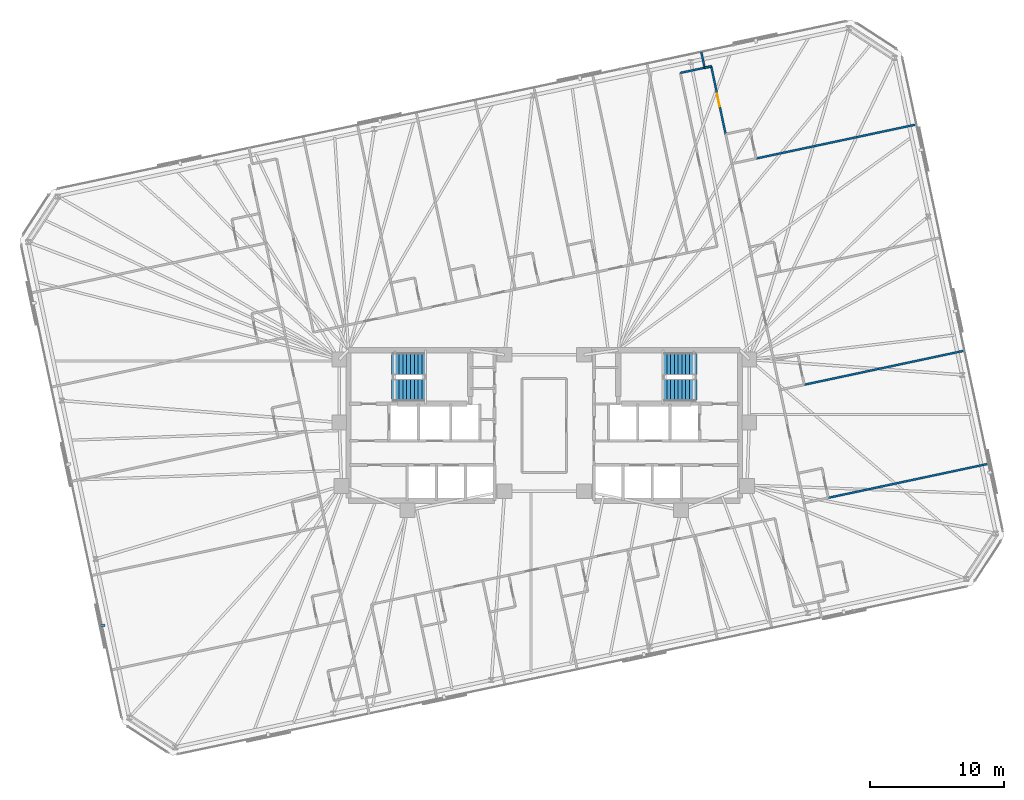
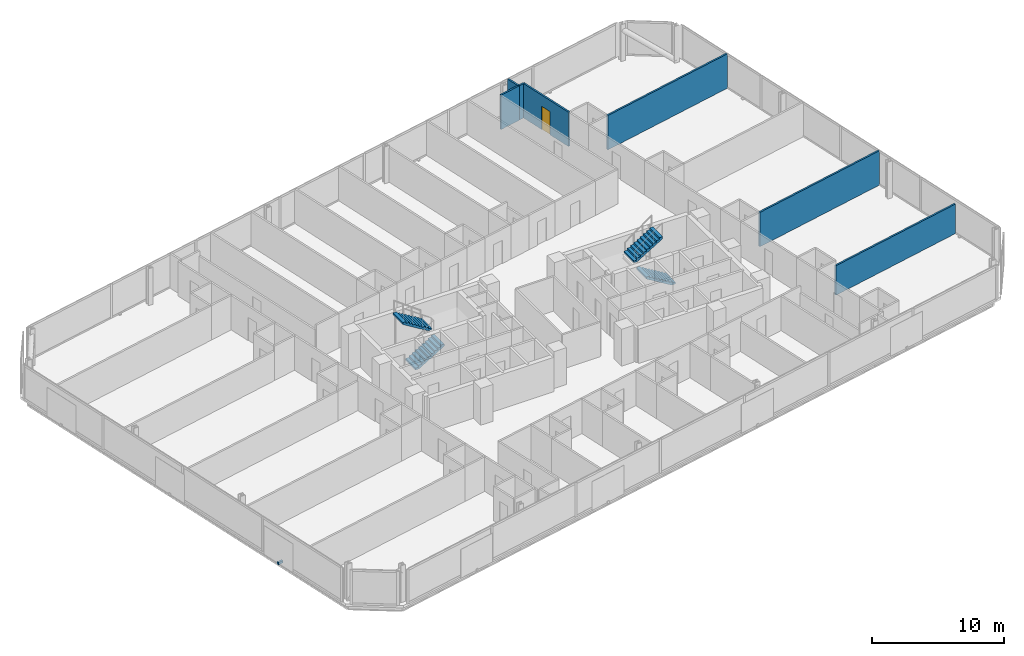
# One storey, part 19 of 21: 7 walls, 4 stair flights, 1 discrete accessory, 1 door, 1 opening, 2 elements without a shape of their own.
"""IFC4 building model written with IfcOpenShell, lengths in metres."""

from ifc_helpers import new_model, si_unit, direction, frame, frame_2d, origin, origin_2d, place, context, subcontext, project, spatial, polyline, rectangle, outline, extrude, material, layer, layer_set, type_object, element, fill, aggregate, save


model = new_model("IFC4")

# Units and contexts
model_context = context("Model", 3, precision=1e-05, world=origin(), true_north=direction((0.0, 1.0)))
body_context = subcontext(model_context, "Body", "Model", "MODEL_VIEW")
ifc_project = project(units=[si_unit("LENGTHUNIT", "METRE"), si_unit("AREAUNIT", "SQUARE_METRE"), si_unit("VOLUMEUNIT", "CUBIC_METRE"), si_unit("PLANEANGLEUNIT", "RADIAN"), si_unit("MASSUNIT", "GRAM", prefix="KILO")], contexts=[model_context])

# Site, building, storey
site_placement = place(None, origin())
site = spatial("IfcSite", under=ifc_project, at=site_placement, CompositionType="ELEMENT")
building_placement = place(site_placement, origin())
building = spatial("IfcBuilding", under=site, at=building_placement, Name="Menara Jurai Vektor", CompositionType="ELEMENT")
storey_placement = place(building_placement, frame((0.0, 0.0, 165.0)))
storey = spatial("IfcBuildingStorey", under=building, at=storey_placement, Name="L42", CompositionType="ELEMENT", Elevation=165.0)

# Walls
ifc_material_1 = material(Name="Gypsum Fireboard Partition", Category="gypsum")
ifc_layer_1 = layer(ifc_material_1, 0.14990234375)
ifc_layer_set_1 = layer_set([ifc_layer_1], Name="Gypsum Fireboard Partition")
wall_type_1 = type_object("IfcWallType", Name="INT-WALL-CORR-150", PredefinedType="PARTITIONING", material=ifc_layer_set_1)
wall_1_placement = place(storey_placement, frame((10.118408203125, 26.21435546875, 0.0), z_axis=(0.0, 0.0, 1.0), x_axis=(0.978133353907, 0.20797870558, 0.0)))
element("IfcWall", 1, at=wall_1_placement, inside=storey, type_object=wall_type_1, Name="Interior Wall IW-150 L42", PredefinedType="PARTITIONING", context=body_context, shape_type="SweptSolid", body=[
    extrude(rectangle(XDim=1.85009765625, YDim=0.14990234375, at=frame_2d((0.925048828125, 0.0))), origin(), (0.0, 0.0, 1.0), 3.175048828125),
])
wall_2_placement = place(storey_placement, frame((11.927978515625, 26.59912109375, 0.0), z_axis=(0.0, 0.0, 1.0), x_axis=(0.97822210712, 0.207560856478, 0.0)))
element("IfcWall", 2, at=wall_2_placement, inside=storey, type_object=wall_type_1, Name="Interior Wall IW-150 L42", PredefinedType="PARTITIONING", context=body_context, shape_type="SweptSolid", body=[
    extrude(rectangle(XDim=0.5, YDim=0.14990234375, at=frame_2d((0.25, 0.0))), origin(), (0.0, 0.0, 1.0), 3.175048828125),
])

# Wall, opening, door
wall_3_placement = place(storey_placement, frame((13.48779296875, 21.66552734375, 0.0), z_axis=(0.0, 0.0, 1.0), x_axis=(-0.207926226209, 0.978144511028, 0.0)))
wall_3 = element("IfcWall", 3, at=wall_3_placement, inside=storey, type_object=wall_type_1, Name="Interior Wall IW-150 L42", PredefinedType="PARTITIONING", context=body_context, shape_type="SweptSolid", body=[
    extrude(rectangle(XDim=5.14990234375, YDim=0.14990234375, at=frame_2d((2.574951171875, 0.0))), origin(), (0.0, 0.0, 1.0), 3.175048828125),
])
opening_placement = place(wall_3_placement, frame((2.10009765625, 0.0, 0.0)))
opening = element("IfcOpeningElement", 4, at=opening_placement, cuts=wall_3, Name="Opening D42-52", PredefinedType="OPENING", context=body_context, shape_type="SweptSolid", body=[
    extrude(rectangle(XDim=0.949951171875, YDim=2.14990234375, at=frame_2d((0.47509765625, 1.074951171875))), frame((0.0, 0.0849609375, 0.0), z_axis=(0.0, -1.0, 0.0), x_axis=(1.0, 0.0, 0.0)), (0.0, 0.0, 1.0), 0.169921875),
])
ifc_material_2 = material(Name="Solid Core Timber Fire Door", Category="wood")
door_type = type_object("IfcDoorType", Name="DR-ENTRY-950", OperationType="NOTDEFINED", PredefinedType="DOOR", material=ifc_material_2)
door_placement = place(opening_placement, origin())
door = element("IfcDoor", 5, at=door_placement, inside=storey, type_object=door_type, Name="Interior Door D42-52", OperationType="SINGLE_SWING_LEFT", OverallHeight=2.14990234375, OverallWidth=0.949951171875, PredefinedType="DOOR", context=body_context, shape_type="SweptSolid", body=[
    extrude(rectangle(XDim=0.949951171875, YDim=2.14990234375, at=frame_2d((0.47509765625, 1.074951171875))), frame((0.0, 0.02490234375, 0.0), z_axis=(0.0, -1.0, 0.0), x_axis=(1.0, 0.0, 0.0)), (0.0, 0.0, 1.0), 0.050048828125),
])
fill(opening, door)

# Walls
wall_4_placement = place(storey_placement, frame((11.927978515625, 26.59912109375, 0.0), z_axis=(0.0, 0.0, 1.0), x_axis=(-0.20795853359, 0.978137642823, 0.0)))
element("IfcWall", 6, at=wall_4_placement, inside=storey, type_object=wall_type_1, Name="Interior Wall IW-150 L42", PredefinedType="PARTITIONING", context=body_context, shape_type="SweptSolid", body=[
    extrude(rectangle(XDim=1.19970703125, YDim=0.14990234375, at=frame_2d((0.599853515625, 0.0))), origin(), (0.0, 0.0, 1.0), 3.175048828125),
])
for number, where, z_axis, x_axis, name in (
    (7, (19.34130859375, 3.025146484375, 0.0), (0.0, 0.0, 1.0), (0.97814556055, 0.207921288896, 0.0), "Interior Wall IW-150 L42"),
    (8, (15.76513671875, 19.849365234375, 0.0), (0.0, 0.0, 1.0), (0.978149634612, 0.207902121941, 0.0), "Interior Wall IW-150 L42"),
):
    element("IfcWall", number, at=place(storey_placement, frame(where, z_axis=z_axis, x_axis=x_axis)), inside=storey, type_object=wall_type_1, Name=name, PredefinedType="PARTITIONING", context=body_context, shape_type="SweptSolid", body=[
        extrude(rectangle(XDim=12.18701171875, YDim=0.14990234375, at=frame_2d((6.093505859375, 0.0))), origin(), (0.0, 0.0, 1.0), 3.175048828125),
    ])
ifc_layer_2 = layer(ifc_material_1, 0.14990234375)
ifc_layer_set_2 = layer_set([ifc_layer_2], Name="Gypsum Fireboard Partition")
wall_type_2 = type_object("IfcWallType", Name="INT-WALL-CORR-150-H1", PredefinedType="PARTITIONING", material=ifc_layer_set_2)
wall_5_placement = place(storey_placement, frame((21.12939453125, -5.386962890625, 0.0), z_axis=(0.0, 0.0, 1.0), x_axis=(0.97814556055, 0.207921288896, 0.0)))
element("IfcWall", 9, at=wall_5_placement, inside=storey, type_object=wall_type_2, Name="Interior Wall IW-150 L42", PredefinedType="PARTITIONING", context=body_context, shape_type="SweptSolid", body=[
    extrude(rectangle(XDim=12.18701171875, YDim=0.14990234375, at=frame_2d((6.093505859375, 0.0))), origin(), (0.0, 0.0, 1.0), 2.72509765625),
])

# Stair, stair flights
ifc_material_3 = material(Name="Concrete C40/50", Category="concrete")
stair_type = type_object("IfcStairType", Name="STAIR-DOGLEG-1500", PredefinedType="HALF_TURN_STAIR", material=ifc_material_3)
stair_1_placement = place(storey_placement, origin())
stair_1 = element("IfcStair", 10, at=stair_1_placement, inside=storey, type_object=stair_type, Name="Protected Exit Stair ST1 L42", PredefinedType="HALF_TURN_STAIR")
stair_flight_type = type_object("IfcStairFlightType", Name="STAIR-FLIGHT-1500", PredefinedType="STRAIGHT", material=ifc_material_3)
stair_flight_1_placement = place(storey_placement, frame((-11.35009765625, 2.64990234375, 0.0), z_axis=(0.0, 0.0, 1.0), x_axis=(1.0, 0.0, 0.0)))
stair_flight_1 = element("IfcStairFlight", 11, at=stair_flight_1_placement, type_object=stair_flight_type, Name="ST1 flight 1", NumberOfRisers=10, NumberOfTreads=9, PredefinedType="STRAIGHT", RiserHeight=0.17, TreadLength=0.28, context=body_context, shape_type="SweptSolid", body=[
    extrude(outline(polyline([(0.0, 0.0), (0.0, 0.169921875), (0.280029296875, 0.169921875), (0.280029296875, 0.340087890625), (0.56005859375, 0.340087890625), (0.56005859375, 0.510009765625), (0.840087890625, 0.510009765625), (0.840087890625, 0.679931640625), (1.1201171875, 0.679931640625), (1.1201171875, 0.85009765625), (1.39990234375, 0.85009765625), (1.39990234375, 1.02001953125), (1.679931640625, 1.02001953125), (1.679931640625, 1.18994140625), (1.9599609375, 1.18994140625), (1.9599609375, 1.360107421875), (2.239990234375, 1.360107421875), (2.239990234375, 1.530029296875), (2.52001953125, 1.530029296875), (2.52001953125, 1.699951171875), (2.52001953125, 1.343017578125), (0.30810546875, 0.0), (0.0, 0.0)])), frame((0.0, 0.75, 0.0), z_axis=(0.0, -1.0, 0.0), x_axis=(1.0, 0.0, 0.0)), (0.0, 0.0, 1.0), 1.5),
])
stair_flight_2_placement = place(storey_placement, frame((-8.830078125, 4.550048828125, 1.699951171875), z_axis=(0.0, 0.0, 1.0), x_axis=(-1.0, 0.0, 0.0)))
stair_flight_2 = element("IfcStairFlight", 12, at=stair_flight_2_placement, type_object=stair_flight_type, Name="ST1 flight 2", NumberOfRisers=10, NumberOfTreads=9, PredefinedType="STRAIGHT", RiserHeight=0.17, TreadLength=0.28, context=body_context, shape_type="SweptSolid", body=[
    extrude(outline(polyline([(0.0, 0.0), (0.0, 0.169921875), (0.280029296875, 0.169921875), (0.280029296875, 0.340087890625), (0.56005859375, 0.340087890625), (0.56005859375, 0.510009765625), (0.840087890625, 0.510009765625), (0.840087890625, 0.679931640625), (1.1201171875, 0.679931640625), (1.1201171875, 0.85009765625), (1.39990234375, 0.85009765625), (1.39990234375, 1.02001953125), (1.679931640625, 1.02001953125), (1.679931640625, 1.18994140625), (1.9599609375, 1.18994140625), (1.9599609375, 1.360107421875), (2.239990234375, 1.360107421875), (2.239990234375, 1.530029296875), (2.52001953125, 1.530029296875), (2.52001953125, 1.699951171875), (2.52001953125, 1.343017578125), (0.30810546875, 0.0), (0.0, 0.0)])), frame((0.0, 0.75, 0.0), z_axis=(0.0, -1.0, 0.0), x_axis=(1.0, 0.0, 0.0)), (0.0, 0.0, 1.0), 1.5),
])
aggregate(stair_1, [stair_flight_1, stair_flight_2])

stair_2_placement = place(storey_placement, origin())
stair_2 = element("IfcStair", 13, at=stair_2_placement, inside=storey, type_object=stair_type, Name="Protected Exit Stair ST2 L42", PredefinedType="HALF_TURN_STAIR")
stair_flight_3_placement = place(storey_placement, frame((11.35009765625, 2.64990234375, 0.0), z_axis=(0.0, 0.0, 1.0), x_axis=(-1.0, 0.0, 0.0)))
stair_flight_3 = element("IfcStairFlight", 14, at=stair_flight_3_placement, type_object=stair_flight_type, Name="ST2 flight 1", NumberOfRisers=10, NumberOfTreads=9, PredefinedType="STRAIGHT", RiserHeight=0.17, TreadLength=0.28, context=body_context, shape_type="SweptSolid", body=[
    extrude(outline(polyline([(0.0, 0.0), (0.0, 0.169921875), (0.280029296875, 0.169921875), (0.280029296875, 0.340087890625), (0.56005859375, 0.340087890625), (0.56005859375, 0.510009765625), (0.840087890625, 0.510009765625), (0.840087890625, 0.679931640625), (1.1201171875, 0.679931640625), (1.1201171875, 0.85009765625), (1.39990234375, 0.85009765625), (1.39990234375, 1.02001953125), (1.679931640625, 1.02001953125), (1.679931640625, 1.18994140625), (1.9599609375, 1.18994140625), (1.9599609375, 1.360107421875), (2.239990234375, 1.360107421875), (2.239990234375, 1.530029296875), (2.52001953125, 1.530029296875), (2.52001953125, 1.699951171875), (2.52001953125, 1.343017578125), (0.30810546875, 0.0), (0.0, 0.0)])), frame((0.0, 0.75, 0.0), z_axis=(0.0, -1.0, 0.0), x_axis=(1.0, 0.0, 0.0)), (0.0, 0.0, 1.0), 1.5),
])
stair_flight_4_placement = place(storey_placement, frame((8.830078125, 4.550048828125, 1.699951171875), z_axis=(0.0, 0.0, 1.0), x_axis=(1.0, 0.0, 0.0)))
stair_flight_4 = element("IfcStairFlight", 15, at=stair_flight_4_placement, type_object=stair_flight_type, Name="ST2 flight 2", NumberOfRisers=10, NumberOfTreads=9, PredefinedType="STRAIGHT", RiserHeight=0.17, TreadLength=0.28, context=body_context, shape_type="SweptSolid", body=[
    extrude(outline(polyline([(0.0, 0.0), (0.0, 0.169921875), (0.280029296875, 0.169921875), (0.280029296875, 0.340087890625), (0.56005859375, 0.340087890625), (0.56005859375, 0.510009765625), (0.840087890625, 0.510009765625), (0.840087890625, 0.679931640625), (1.1201171875, 0.679931640625), (1.1201171875, 0.85009765625), (1.39990234375, 0.85009765625), (1.39990234375, 1.02001953125), (1.679931640625, 1.02001953125), (1.679931640625, 1.18994140625), (1.9599609375, 1.18994140625), (1.9599609375, 1.360107421875), (2.239990234375, 1.360107421875), (2.239990234375, 1.530029296875), (2.52001953125, 1.530029296875), (2.52001953125, 1.699951171875), (2.52001953125, 1.343017578125), (0.30810546875, 0.0), (0.0, 0.0)])), frame((0.0, 0.75, 0.0), z_axis=(0.0, -1.0, 0.0), x_axis=(1.0, 0.0, 0.0)), (0.0, 0.0, 1.0), 1.5),
])
aggregate(stair_2, [stair_flight_3, stair_flight_4])

# Discrete accessory
ifc_material_4 = material(Name="Steel S355", Category="steel")
discrete_accessory_type = type_object("IfcDiscreteAccessoryType", Name="ENV-ACC-BRACKET", PredefinedType="BRACKET", material=ifc_material_4)
discrete_accessory_placement = place(storey_placement, frame((-32.895263671875, -14.906005859375, -0.1298828125), z_axis=(0.0, 0.0, 1.0), x_axis=(0.207911690818, -0.978147600734, 0.0)))
element("IfcDiscreteAccessory", 16, at=discrete_accessory_placement, inside=storey, type_object=discrete_accessory_type, Name="Solar Screen Stand-Off Bracket L42-S14", PredefinedType="BRACKET", context=body_context, shape_type="SweptSolid", body=[
    extrude(rectangle(XDim=0.179931640625, YDim=0.43994140625, at=origin_2d()), origin(), (0.0, 0.0, 1.0), 0.219970703125),
])

save(model, "model.ifc")
